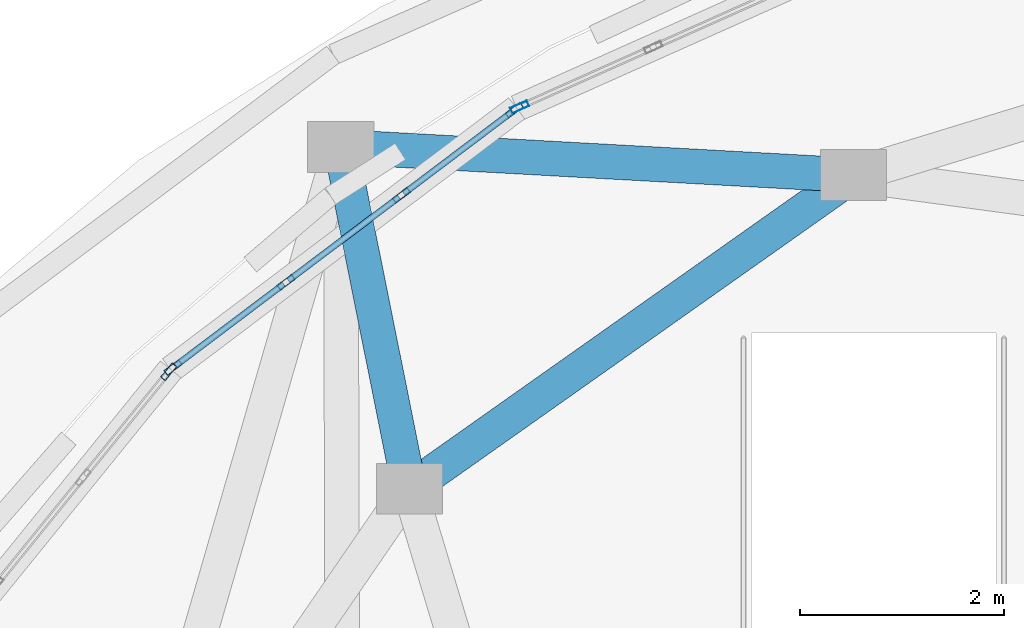
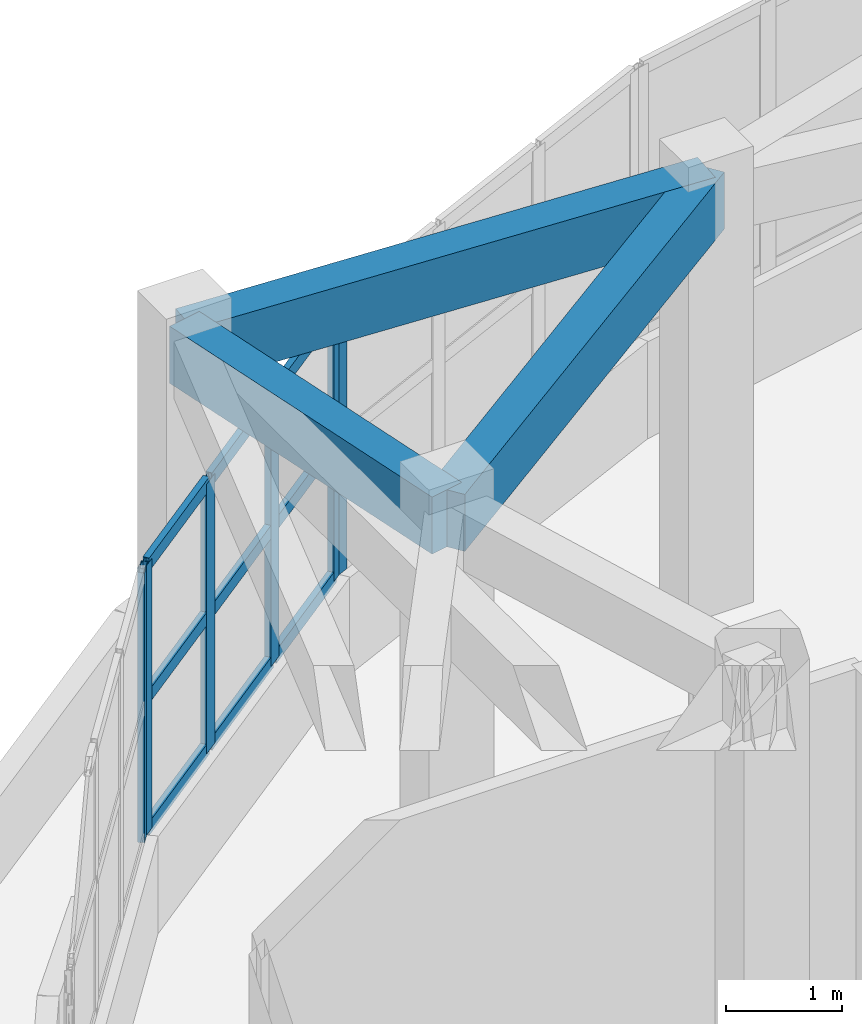
# One storey, part 13 of 98: 15 members, 3 beams, 3 elements without a shape of their own.
"""IFC4 building model written with IfcOpenShell, lengths in metres."""

from ifc_helpers import new_model, si_unit, direction, frame, origin, origin_2d, place, context, subcontext, project, spatial, rectangle, hollow_rectangle, extrude, material, layer, layer_set, material_profile, profile_set, type_object, element, aggregate, save


model = new_model("IFC4")

# Units and contexts
model_context = context("Model", 3, precision=1e-05, world=origin(), true_north=direction((0.0, 1.0)))
body_context = subcontext(model_context, "Body", "Model", "MODEL_VIEW")
ifc_project = project(units=[si_unit("LENGTHUNIT", "METRE"), si_unit("AREAUNIT", "SQUARE_METRE"), si_unit("VOLUMEUNIT", "CUBIC_METRE"), si_unit("PLANEANGLEUNIT", "RADIAN"), si_unit("MASSUNIT", "GRAM", prefix="KILO")], contexts=[model_context])

# Site, building, storey
site_placement = place(None, origin())
site = spatial("IfcSite", under=ifc_project, at=site_placement, CompositionType="ELEMENT")
building_placement = place(site_placement, origin())
building = spatial("IfcBuilding", under=site, at=building_placement, Name="Pelvatis Terrace Science Centre", CompositionType="ELEMENT")
storey_placement = place(building_placement, frame((0.0, 0.0, 5.39990234375)))
storey = spatial("IfcBuildingStorey", under=building, at=storey_placement, Name="L01", CompositionType="ELEMENT", Elevation=5.39990234375)

# Curtain wall, member
ifc_material_1 = material(Name="Bronze-anodised aluminium and laminated glass", Category="aluminium")
ifc_layer = layer(ifc_material_1, 0.179931640625)
ifc_layer_set = layer_set([ifc_layer], Name="Bronze-anodised aluminium and laminated glass")
curtain_wall_type = type_object("IfcCurtainWallType", Name="CW-RIBBON-A", PredefinedType="NOTDEFINED", material=ifc_layer_set)
curtain_wall_1_placement = place(storey_placement, origin())
curtain_wall_1 = element("IfcCurtainWall", 1, at=curtain_wall_1_placement, inside=storey, type_object=curtain_wall_type, Name="Ribbon curtain wall CW-025 (L01)", PredefinedType="NOTDEFINED")
ifc_material_2 = material(Name="Bronze-anodised aluminium 6063-T6", Category="aluminium")
ifc_material_profile_1 = material_profile(ifc_material_2, hollow_rectangle(XDim=0.06005859375, YDim=0.179931640625, WallThickness=0.00390625, at=origin_2d()), Name="ALU-MUL 60x180")
ifc_profile_set_1 = profile_set([ifc_material_profile_1], Name="Bronze-anodised aluminium 6063-T6")
member_type_1 = type_object("IfcMemberType", Name="CWM-60x180", PredefinedType="MULLION", material=ifc_profile_set_1)
member_1_placement = place(storey_placement, frame((35.719482421875, 48.021240234375, 1.02001953125), z_axis=(0.0, 0.0, 1.0), x_axis=(0.407992377394, -0.91298533394, 0.0)))
member_1 = element("IfcMember", 2, at=member_1_placement, type_object=member_type_1, Name="CW-025 mullion 4", PredefinedType="MULLION", context=body_context, shape_type="SweptSolid", body=[
    extrude(hollow_rectangle(XDim=0.06005859375, YDim=0.179931640625, WallThickness=0.00390625, at=origin_2d()), origin(), (0.0, 0.0, 1.0), 2.840087890625),
])
aggregate(curtain_wall_1, [member_1])

# Curtain wall, members
curtain_wall_2_placement = place(storey_placement, origin())
curtain_wall_2 = element("IfcCurtainWall", 3, at=curtain_wall_2_placement, inside=storey, type_object=curtain_wall_type, Name="Ribbon curtain wall CW-026 (L01)", PredefinedType="NOTDEFINED")
member_2_placement = place(storey_placement, frame((35.66796875, 47.99072265625, 1.02001953125), z_axis=(0.0, 0.0, 1.0), x_axis=(0.602213340756, -0.798335200411, 0.0)))
member_2 = element("IfcMember", 4, at=member_2_placement, type_object=member_type_1, Name="CW-026 mullion 1", PredefinedType="MULLION", context=body_context, shape_type="SweptSolid", body=[
    extrude(hollow_rectangle(XDim=0.06005859375, YDim=0.179931640625, WallThickness=0.00390625, at=origin_2d()), origin(), (0.0, 0.0, 1.0), 2.840087890625),
])
member_3_placement = place(storey_placement, frame((34.55810546875, 47.153564453125, 1.02001953125), z_axis=(0.0, 0.0, 1.0), x_axis=(0.602213340756, -0.798335200411, 0.0)))
member_3 = element("IfcMember", 5, at=member_3_placement, type_object=member_type_1, Name="CW-026 mullion 2", PredefinedType="MULLION", context=body_context, shape_type="SweptSolid", body=[
    extrude(hollow_rectangle(XDim=0.06005859375, YDim=0.179931640625, WallThickness=0.00390625, at=origin_2d()), origin(), (0.0, 0.0, 1.0), 2.840087890625),
])
member_4_placement = place(storey_placement, frame((33.42431640625, 46.29833984375, 1.02001953125), z_axis=(0.0, 0.0, 1.0), x_axis=(0.602213340756, -0.798335200411, 0.0)))
member_4 = element("IfcMember", 6, at=member_4_placement, type_object=member_type_1, Name="CW-026 mullion 3", PredefinedType="MULLION", context=body_context, shape_type="SweptSolid", body=[
    extrude(hollow_rectangle(XDim=0.06005859375, YDim=0.179931640625, WallThickness=0.00390625, at=origin_2d()), origin(), (0.0, 0.0, 1.0), 2.840087890625),
])
member_5_placement = place(storey_placement, frame((32.314453125, 45.461181640625, 1.02001953125), z_axis=(0.0, 0.0, 1.0), x_axis=(0.602213340756, -0.798335200411, 0.0)))
member_5 = element("IfcMember", 7, at=member_5_placement, type_object=member_type_1, Name="CW-026 mullion 4", PredefinedType="MULLION", context=body_context, shape_type="SweptSolid", body=[
    extrude(hollow_rectangle(XDim=0.06005859375, YDim=0.179931640625, WallThickness=0.00390625, at=origin_2d()), origin(), (0.0, 0.0, 1.0), 2.840087890625),
])

# Curtain wall, member
curtain_wall_3_placement = place(storey_placement, origin())
curtain_wall_3 = element("IfcCurtainWall", 8, at=curtain_wall_3_placement, inside=storey, type_object=curtain_wall_type, Name="Ribbon curtain wall CW-027 (L01)", PredefinedType="NOTDEFINED")
member_6_placement = place(storey_placement, frame((32.271728515625, 45.419677734375, 1.02001953125), z_axis=(0.0, 0.0, 1.0), x_axis=(0.776811223185, -0.629733533753, 0.0)))
member_6 = element("IfcMember", 9, at=member_6_placement, type_object=member_type_1, Name="CW-027 mullion 1", PredefinedType="MULLION", context=body_context, shape_type="SweptSolid", body=[
    extrude(hollow_rectangle(XDim=0.06005859375, YDim=0.179931640625, WallThickness=0.00390625, at=origin_2d()), origin(), (0.0, 0.0, 1.0), 2.840087890625),
])
aggregate(curtain_wall_3, [member_6])

# Member
ifc_material_3 = material(Name="Bronze-anodised aluminium 6063-T6", Category="aluminium")
ifc_material_profile_2 = material_profile(ifc_material_3, hollow_rectangle(XDim=0.06005859375, YDim=0.139892578125, WallThickness=0.00390625, at=origin_2d()), Name="ALU-TRN 60x140")
ifc_profile_set_2 = profile_set([ifc_material_profile_2], Name="Bronze-anodised aluminium 6063-T6")
member_type_2 = type_object("IfcMemberType", Name="CWT-60x140", PredefinedType="USERDEFINED", material=ifc_profile_set_2)
member_7_placement = place(storey_placement, frame((35.64404296875, 47.97265625, 1.050048828125), z_axis=(-0.798367278271, -0.602170813795, 0.0), x_axis=(0.602170813795, -0.798367278271, 0.0)))
member_7 = element("IfcMember", 10, at=member_7_placement, type_object=member_type_2, Name="CW-026 transom 1.1", ObjectType="TRANSOM", PredefinedType="USERDEFINED", context=body_context, shape_type="SweptSolid", body=[
    extrude(hollow_rectangle(XDim=0.06005859375, YDim=0.139892578125, WallThickness=0.00390625, at=origin_2d()), origin(), (0.0, 0.0, 1.0), 1.330322265625),
])

member_8_placement = place(storey_placement, frame((35.64404296875, 47.97265625, 2.440185546875), z_axis=(-0.798367278271, -0.602170813795, 0.0), x_axis=(0.602170813795, -0.798367278271, 0.0)))
member_8 = element("IfcMember", 11, at=member_8_placement, type_object=member_type_2, Name="CW-026 transom 1.2", ObjectType="TRANSOM", PredefinedType="USERDEFINED", context=body_context, shape_type="SweptSolid", body=[
    extrude(hollow_rectangle(XDim=0.06005859375, YDim=0.139892578125, WallThickness=0.00390625, at=origin_2d()), origin(), (0.0, 0.0, 1.0), 1.330322265625),
])

member_9_placement = place(storey_placement, frame((35.64404296875, 47.97265625, 3.830078125), z_axis=(-0.798367278271, -0.602170813795, 0.0), x_axis=(0.602170813795, -0.798367278271, 0.0)))
member_9 = element("IfcMember", 12, at=member_9_placement, type_object=member_type_2, Name="CW-026 transom 1.3", ObjectType="TRANSOM", PredefinedType="USERDEFINED", context=body_context, shape_type="SweptSolid", body=[
    extrude(hollow_rectangle(XDim=0.06005859375, YDim=0.139892578125, WallThickness=0.00390625, at=origin_2d()), origin(), (0.0, 0.0, 1.0), 1.330322265625),
])

member_10_placement = place(storey_placement, frame((34.5341796875, 47.135498046875, 1.050048828125), z_axis=(-0.798360097365, -0.602180334231, 0.0), x_axis=(0.602180334231, -0.798360097365, 0.0)))
member_10 = element("IfcMember", 13, at=member_10_placement, type_object=member_type_2, Name="CW-026 transom 2.1", ObjectType="TRANSOM", PredefinedType="USERDEFINED", context=body_context, shape_type="SweptSolid", body=[
    extrude(hollow_rectangle(XDim=0.06005859375, YDim=0.139892578125, WallThickness=0.00390625, at=origin_2d()), origin(), (0.0, 0.0, 1.0), 1.360107421875),
])

member_11_placement = place(storey_placement, frame((34.5341796875, 47.135498046875, 2.440185546875), z_axis=(-0.798360097365, -0.602180334231, 0.0), x_axis=(0.602180334231, -0.798360097365, 0.0)))
member_11 = element("IfcMember", 14, at=member_11_placement, type_object=member_type_2, Name="CW-026 transom 2.2", ObjectType="TRANSOM", PredefinedType="USERDEFINED", context=body_context, shape_type="SweptSolid", body=[
    extrude(hollow_rectangle(XDim=0.06005859375, YDim=0.139892578125, WallThickness=0.00390625, at=origin_2d()), origin(), (0.0, 0.0, 1.0), 1.360107421875),
])

member_12_placement = place(storey_placement, frame((34.5341796875, 47.135498046875, 3.830078125), z_axis=(-0.798360097365, -0.602180334231, 0.0), x_axis=(0.602180334231, -0.798360097365, 0.0)))
member_12 = element("IfcMember", 15, at=member_12_placement, type_object=member_type_2, Name="CW-026 transom 2.3", ObjectType="TRANSOM", PredefinedType="USERDEFINED", context=body_context, shape_type="SweptSolid", body=[
    extrude(hollow_rectangle(XDim=0.06005859375, YDim=0.139892578125, WallThickness=0.00390625, at=origin_2d()), origin(), (0.0, 0.0, 1.0), 1.360107421875),
])

member_13_placement = place(storey_placement, frame((33.400390625, 46.2802734375, 1.050048828125), z_axis=(-0.798367278271, -0.602170813795, 0.0), x_axis=(0.602170813795, -0.798367278271, 0.0)))
member_13 = element("IfcMember", 16, at=member_13_placement, type_object=member_type_2, Name="CW-026 transom 3.1", ObjectType="TRANSOM", PredefinedType="USERDEFINED", context=body_context, shape_type="SweptSolid", body=[
    extrude(hollow_rectangle(XDim=0.06005859375, YDim=0.139892578125, WallThickness=0.00390625, at=origin_2d()), origin(), (0.0, 0.0, 1.0), 1.330322265625),
])

member_14_placement = place(storey_placement, frame((33.400390625, 46.2802734375, 2.440185546875), z_axis=(-0.798367278271, -0.602170813795, 0.0), x_axis=(0.602170813795, -0.798367278271, 0.0)))
member_14 = element("IfcMember", 17, at=member_14_placement, type_object=member_type_2, Name="CW-026 transom 3.2", ObjectType="TRANSOM", PredefinedType="USERDEFINED", context=body_context, shape_type="SweptSolid", body=[
    extrude(hollow_rectangle(XDim=0.06005859375, YDim=0.139892578125, WallThickness=0.00390625, at=origin_2d()), origin(), (0.0, 0.0, 1.0), 1.330322265625),
])

member_15_placement = place(storey_placement, frame((33.400390625, 46.2802734375, 3.830078125), z_axis=(-0.798367278271, -0.602170813795, 0.0), x_axis=(0.602170813795, -0.798367278271, 0.0)))
member_15 = element("IfcMember", 18, at=member_15_placement, type_object=member_type_2, Name="CW-026 transom 3.3", ObjectType="TRANSOM", PredefinedType="USERDEFINED", context=body_context, shape_type="SweptSolid", body=[
    extrude(hollow_rectangle(XDim=0.06005859375, YDim=0.139892578125, WallThickness=0.00390625, at=origin_2d()), origin(), (0.0, 0.0, 1.0), 1.330322265625),
])

aggregate(curtain_wall_2, [member_2, member_3, member_4, member_5, member_7, member_8, member_9, member_10, member_11, member_12, member_13, member_14, member_15])

# Beams
ifc_material_4 = material(Name="Concrete C35/45", Category="concrete")
ifc_material_profile_3 = material_profile(ifc_material_4, rectangle(XDim=0.340087890625, YDim=0.60009765625, at=origin_2d()), Name="RC-SPN 340x600")
ifc_profile_set_3 = profile_set([ifc_material_profile_3], Name="Concrete C35/45")
beam_type = type_object("IfcBeamType", Name="SPN-RC-340x600", PredefinedType="SPANDREL", material=ifc_profile_set_3)
beam_1_placement = place(storey_placement, frame((39.0, 47.351318359375, 4.239990234375), z_axis=(-0.816877911855, -0.576810607672, 0.0), x_axis=(0.576810607672, -0.816877911855, 0.0)))
element("IfcBeam", 19, at=beam_1_placement, inside=storey, type_object=beam_type, Name="Spandrel SP-L01-2681", PredefinedType="SPANDREL", context=body_context, shape_type="SweptSolid", body=[
    extrude(rectangle(XDim=0.340087890625, YDim=0.60009765625, at=origin_2d()), origin(), (0.0, 0.0, 1.0), 5.341064453125),
])
beam_2_placement = place(storey_placement, frame((39.0, 47.351318359375, 4.239990234375), z_axis=(-0.99847757462, 0.055159160451, 0.0), x_axis=(-0.055159160451, -0.99847757462, 0.0)))
element("IfcBeam", 20, at=beam_2_placement, inside=storey, type_object=beam_type, Name="Spandrel SP-L01-2682", PredefinedType="SPANDREL", context=body_context, shape_type="SweptSolid", body=[
    extrude(rectangle(XDim=0.340087890625, YDim=0.60009765625, at=origin_2d()), origin(), (0.0, 0.0, 1.0), 5.045654296875),
])
beam_3_placement = place(storey_placement, frame((34.636962890625, 44.2705078125, 4.239990234375), z_axis=(-0.197020443803, 0.980399380214, 0.0), x_axis=(-0.980399380214, -0.197020443803, 0.0)))
element("IfcBeam", 21, at=beam_3_placement, inside=storey, type_object=beam_type, Name="Spandrel SP-L01-2685", PredefinedType="SPANDREL", context=body_context, shape_type="SweptSolid", body=[
    extrude(rectangle(XDim=0.340087890625, YDim=0.60009765625, at=origin_2d()), origin(), (0.0, 0.0, 1.0), 3.42626953125),
])

save(model, "model.ifc")
